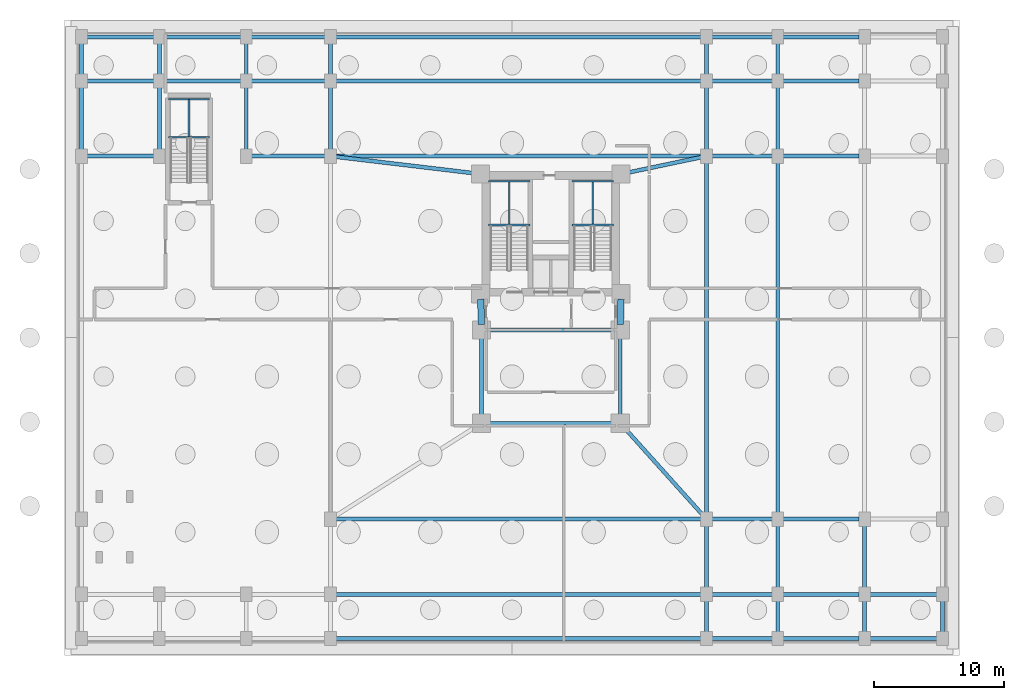
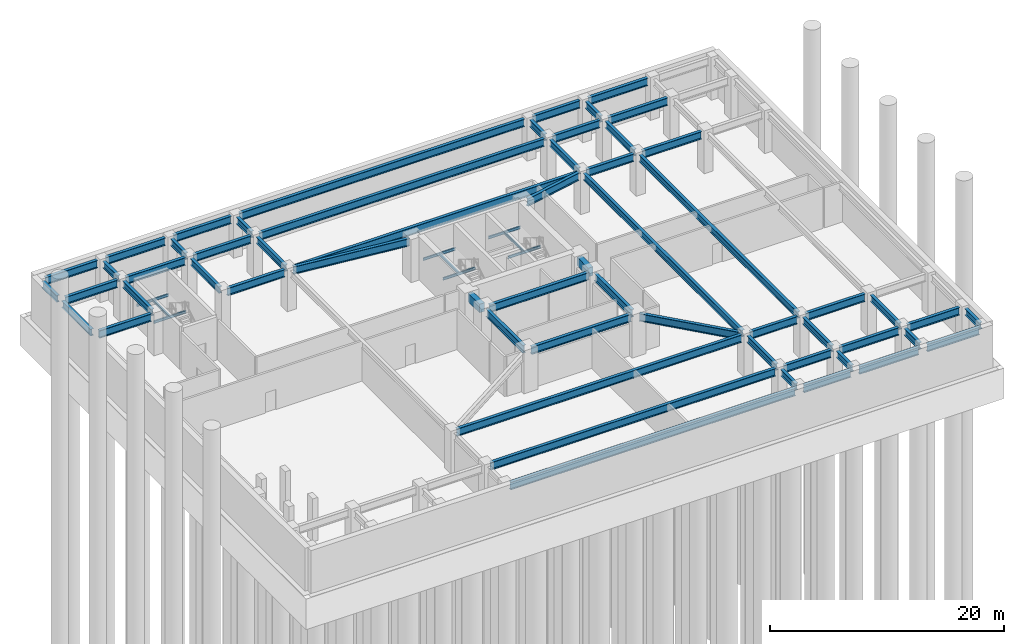
# One storey, part 2 of 7: 67 beams.
"""IFC4 building model written with IfcOpenShell, lengths in metres."""

import ifcopenshell
import ifcopenshell.guid

model = None  # the IFC model being written
_history = None  # IfcOwnerHistory: only IFC2X3 demands one
_inside = {}  # id of a spatial element -> (the spatial element, [elements in it])
_under = {}  # id of a project, library or spatial element -> (it, [spatial elements below it])
_declared = {}  # id of a project -> (the project, [libraries it declares])
_typed = {}  # id of a type object -> (the type object, [elements of that type])
_made_of = {}  # id of a material, layer set ... -> (it, [elements and type objects made of it])


def new_model(schema):
    """Start an empty IFC model of exactly this schema.

    Asked for "IFC4X3", IfcOpenShell would pick the latest addendum, in which some entities
    have other attributes; the version numbers below select the first issue.
    IFC2X3 requires an IfcOwnerHistory on every rooted entity: one is made here for all.
    """
    global model, _history
    if schema == "IFC4X3":
        model = ifcopenshell.file(schema_version=(4, 3, 0, 0))
    else:
        model = ifcopenshell.file(schema=schema)
    _inside.clear()
    _under.clear()
    _declared.clear()
    _typed.clear()
    _made_of.clear()
    _history = None
    if model.schema == "IFC2X3":
        org = make("IfcOrganization", Name="unknown")
        user = make(
            "IfcPersonAndOrganization",
            ThePerson=make("IfcPerson", FamilyName="unknown"),
            TheOrganization=org,
        )
        app = make(
            "IfcApplication",
            ApplicationDeveloper=org,
            Version="unknown",
            ApplicationFullName="unknown",
            ApplicationIdentifier="unknown",
        )
        _history = make(
            "IfcOwnerHistory",
            OwningUser=user,
            OwningApplication=app,
            ChangeAction="ADDED",
            CreationDate=0,
        )
    return model


def make(cls, **values):
    """One entity of the class cls with the attributes given. An attribute that is None is left unset."""
    return model.create_entity(
        cls, **{name: value for name, value in values.items() if value is not None}
    )


def rooted(cls, **values):
    """An entity with a GlobalId (a new one), such as an element, a storey or a relation."""
    return make(cls, GlobalId=ifcopenshell.guid.new(), OwnerHistory=_history, **values)


def si_unit(unit_type, name, prefix=None):
    """IfcSIUnit, for example si_unit("LENGTHUNIT", "METRE", prefix="MILLI")."""
    return make("IfcSIUnit", UnitType=unit_type, Prefix=prefix, Name=name)


def assignment(units):
    """IfcUnitAssignment: the units of a project."""
    return None if units is None else make("IfcUnitAssignment", Units=units)


def point(xyz):
    """IfcCartesianPoint."""
    return None if xyz is None else make("IfcCartesianPoint", Coordinates=xyz)


def direction(xyz):
    """IfcDirection."""
    return None if xyz is None else make("IfcDirection", DirectionRatios=xyz)


def frame(location, z_axis=None, x_axis=None):
    """IfcAxis2Placement3D, a coordinate frame: its origin and axes. An axis left out is left unset."""
    return make(
        "IfcAxis2Placement3D",
        Location=point(location),
        Axis=direction(z_axis),
        RefDirection=direction(x_axis),
    )


def frame_2d(location, x_axis=None):
    """IfcAxis2Placement2D, a coordinate frame in the plane: its origin and x axis."""
    return make(
        "IfcAxis2Placement2D", Location=point(location), RefDirection=direction(x_axis)
    )


def origin():
    """The frame at (0, 0, 0) with its axes left unset."""
    return frame((0.0, 0.0, 0.0))


def origin_2d():
    """The frame at (0, 0) in the plane with its x axis left unset."""
    return frame_2d((0.0, 0.0))


def place(relative_to, where):
    """IfcLocalPlacement: puts the frame where relative to a parent placement (None: the world)."""
    return make(
        "IfcLocalPlacement", PlacementRelTo=relative_to, RelativePlacement=where
    )


def context(
    kind, dimensions, precision=None, world=None, true_north=None, identifier=None
):
    """IfcGeometricRepresentationContext, for example the 3D "Model" context."""
    return make(
        "IfcGeometricRepresentationContext",
        ContextIdentifier=identifier,
        ContextType=kind,
        CoordinateSpaceDimension=dimensions,
        Precision=precision,
        WorldCoordinateSystem=world,
        TrueNorth=true_north,
    )


def subcontext(parent, identifier, kind, view, scale=None):
    """IfcGeometricRepresentationSubContext, for example "Body" below "Model"."""
    return make(
        "IfcGeometricRepresentationSubContext",
        ContextIdentifier=identifier,
        ContextType=kind,
        ParentContext=parent,
        TargetScale=scale,
        TargetView=view,
    )


def project(units=None, contexts=None):
    """IfcProject with its units and contexts."""
    return rooted(
        "IfcProject",
        Name="project",
        RepresentationContexts=contexts,
        UnitsInContext=assignment(units),
    )


def spatial(cls, under=None, at=None, **own):
    """A site, building, storey or space (cls), placed at a placement, below another one or the project."""
    s = rooted(cls, ObjectPlacement=at, **own)
    if under is not None:
        _under.setdefault(under.id(), (under, []))[1].append(s)
    return s


def profile(cls, at=None, kind="AREA", **sizes):
    """A parametric profile (cls). Its sizes go by their IFC names, for example OverallWidth=200.0."""
    return make(cls, ProfileType=kind, Position=at, **sizes)


def rectangle(**sizes):
    """IfcRectangleProfileDef."""
    return profile("IfcRectangleProfileDef", **sizes)


def i_section(**sizes):
    """IfcIShapeProfileDef."""
    return profile("IfcIShapeProfileDef", **sizes)


def extrude(swept, where, along, depth):
    """IfcExtrudedAreaSolid: the profile swept, set in the frame where, extruded along a direction by depth."""
    return make(
        "IfcExtrudedAreaSolid",
        SweptArea=swept,
        Position=where,
        ExtrudedDirection=direction(along),
        Depth=depth,
    )


def shape(context_of_items, identifier, shape_type, items):
    """IfcShapeRepresentation: the items that make up one representation, for example the "Body"."""
    return make(
        "IfcShapeRepresentation",
        ContextOfItems=context_of_items,
        RepresentationIdentifier=identifier,
        RepresentationType=shape_type,
        Items=items,
    )


def material(Name=None, Category=None):
    """IfcMaterial."""
    return make("IfcMaterial", Name=Name, Category=Category)


def material_profile(
    of_material, cross_section, Name=None, Category=None, Priority=None
):
    """IfcMaterialProfile: a cross section and its material."""
    return make(
        "IfcMaterialProfile",
        Name=Name,
        Material=of_material,
        Profile=cross_section,
        Priority=Priority,
        Category=Category,
    )


def profile_set(profiles, Name=None, composite=None):
    """IfcMaterialProfileSet."""
    return make(
        "IfcMaterialProfileSet",
        Name=Name,
        MaterialProfiles=profiles,
        CompositeProfile=composite,
    )


def made_of(thing, what):
    """Note that an element or type object is made of a material, layer set ...; save() writes the relation."""
    if what is not None:
        _made_of.setdefault(what.id(), (what, []))[1].append(thing)
    return thing


def type_object(cls, material=None, **own):
    """A type object (cls), such as IfcWallType, which elements share."""
    return made_of(rooted(cls, **own), material)


def element(
    cls,
    number,
    at=None,
    inside=None,
    cuts=None,
    type_object=None,
    material=None,
    context=None,
    identifier="Body",
    shape_type=None,
    held_by="IfcProductDefinitionShape",
    body=None,
    shapes=None,
    **own,
):
    """One element of the class cls, such as IfcWall. Its Tag is "e" and its number.

    at: its placement. inside: the storey or other place that contains it. cuts: it is an
    opening in that element (IfcRelVoidsElement). A single representation is given by context,
    identifier, shape_type and body (its items); several are given by shapes. held_by: the class
    of the entity that holds the representations. save() writes the other relations.
    """
    e = rooted(cls, Tag="e%d" % number, ObjectPlacement=at, **own)
    if body is not None:
        shapes = [shape(context, identifier, shape_type, body)]
    if shapes is not None:
        e.Representation = make(held_by, Representations=shapes)
    if inside is not None:
        _inside.setdefault(inside.id(), (inside, []))[1].append(e)
    if cuts is not None:
        rooted(
            "IfcRelVoidsElement", RelatingBuildingElement=cuts, RelatedOpeningElement=e
        )
    if type_object is not None:
        _typed.setdefault(type_object.id(), (type_object, []))[1].append(e)
    return made_of(e, material)


def aggregate(whole, parts):
    """IfcRelAggregates: a whole, such as a stair, and the parts it consists of."""
    return rooted("IfcRelAggregates", RelatingObject=whole, RelatedObjects=parts)


def save(model, path):
    """Write the relations noted so far, then the file.

    IfcRelAggregates (storeys below a building ...), IfcRelContainedInSpatialStructure (elements
    in a storey), IfcRelDefinesByType, IfcRelAssociatesMaterial and IfcRelDeclares: one each for
    every whole, place, type object, material and project.
    """
    for whole, parts in _under.values():
        aggregate(whole, parts)
    for where, things in _inside.values():
        rooted(
            "IfcRelContainedInSpatialStructure",
            RelatedElements=things,
            RelatingStructure=where,
        )
    for kind, things in _typed.values():
        rooted("IfcRelDefinesByType", RelatedObjects=things, RelatingType=kind)
    for what, things in _made_of.values():
        rooted("IfcRelAssociatesMaterial", RelatedObjects=things, RelatingMaterial=what)
    for by, libraries in _declared.values():
        rooted("IfcRelDeclares", RelatingContext=by, RelatedDefinitions=libraries)
    model.write(path)


model = new_model("IFC4")

# Units and contexts
model_context = context("Model", 3, precision=1e-05, world=origin(), true_north=direction((0.0, 1.0)))
body_context = subcontext(model_context, "Body", "Model", "MODEL_VIEW")
ifc_project = project(units=[si_unit("LENGTHUNIT", "METRE"), si_unit("AREAUNIT", "SQUARE_METRE"), si_unit("VOLUMEUNIT", "CUBIC_METRE"), si_unit("PLANEANGLEUNIT", "RADIAN"), si_unit("MASSUNIT", "GRAM", prefix="KILO")], contexts=[model_context])

# Site, building, storey
site_placement = place(None, origin())
site = spatial("IfcSite", under=ifc_project, at=site_placement, CompositionType="ELEMENT")
building_placement = place(site_placement, origin())
building = spatial("IfcBuilding", under=site, at=building_placement, Name="Varnakorn Sky Granary", CompositionType="ELEMENT")
storey_placement = place(building_placement, frame((0.0, 0.0, -13.5)))
storey = spatial("IfcBuildingStorey", under=building, at=storey_placement, Name="B03", CompositionType="ELEMENT", Elevation=-13.5)

# Beams
ifc_material_1 = material(Name="Concrete C60/75", Category="concrete")
ifc_material_profile_1 = material_profile(ifc_material_1, rectangle(XDim=0.5, YDim=0.89990234375, at=origin_2d()), Name="RC 500x900")
ifc_profile_set_1 = profile_set([ifc_material_profile_1], Name="Concrete C60/75")
beam_type_1 = type_object("IfcBeamType", Name="BM-LIN-900", PredefinedType="LINTEL", material=ifc_profile_set_1)
for number, where, z_axis, x_axis, name in (
    (1, (-2.409423828125, 2.960205078125, 3.72998046875), (0.025158763514, -0.999683468213, 0.0), (0.999683468213, 0.025158763514, 0.0), "Core Spine Beam 1 B03"),
    (2, (8.409423828125, 2.960205078125, 3.72998046875), (-0.025158763514, -0.999683468213, 0.0), (0.999683468213, -0.025158763514, 0.0), "Core Spine Beam 2 B03"),
):
    element("IfcBeam", number, at=place(storey_placement, frame(where, z_axis=z_axis, x_axis=x_axis)), inside=storey, type_object=beam_type_1, Name=name, PredefinedType="LINTEL", context=body_context, shape_type="SweptSolid", body=[
        extrude(rectangle(XDim=0.5, YDim=0.89990234375, at=origin_2d()), origin(), (0.0, 0.0, 1.0), 1.94091796875),
    ])
ifc_material_2 = material(Name="Steel S355JR", Category="steel")
ifc_material_profile_2 = material_profile(ifc_material_2, i_section(OverallWidth=0.135009765625, OverallDepth=0.27001953125, WebThickness=0.006591796875, FlangeThickness=0.01025390625, at=origin_2d()), Name="IPE 270")
ifc_profile_set_2 = profile_set([ifc_material_profile_2], Name="Steel S355JR")
beam_type_2 = type_object("IfcBeamType", Name="BM-LND-270", PredefinedType="BEAM", material=ifc_profile_set_2)
for number, where, z_axis, x_axis, name in (
    (3, (-1.820068359375, 8.679931640625, 1.9150390625), (1.0, 0.0, 0.0), (0.0, 1.0, 0.0), "Stair ST-1 Landing Trimmer Beam A B03-1"),
    (4, (-1.820068359375, 12.06005859375, 1.9150390625), (1.0, 0.0, 0.0), (0.0, 1.0, 0.0), "Stair ST-1 Landing Trimmer Beam B B03-1"),
):
    element("IfcBeam", number, at=place(storey_placement, frame(where, z_axis=z_axis, x_axis=x_axis)), inside=storey, type_object=beam_type_2, Name=name, PredefinedType="BEAM", context=body_context, shape_type="SweptSolid", body=[
        extrude(i_section(OverallWidth=0.135009765625, OverallDepth=0.27001953125, WebThickness=0.006591796875, FlangeThickness=0.01025390625, at=origin_2d()), origin(), (0.0, 0.0, 1.0), 3.199951171875),
    ])
beam_1_placement = place(storey_placement, frame((-0.219970703125, 8.679931640625, 1.9150390625), z_axis=(0.0, 1.0, 0.0), x_axis=(-1.0, 0.0, 0.0)))
element("IfcBeam", 5, at=beam_1_placement, inside=storey, type_object=beam_type_2, Name="Stair ST-1 Landing Cross Beam C B03-1", PredefinedType="BEAM", context=body_context, shape_type="SweptSolid", body=[
    extrude(i_section(OverallWidth=0.135009765625, OverallDepth=0.27001953125, WebThickness=0.006591796875, FlangeThickness=0.01025390625, at=origin_2d()), origin(), (0.0, 0.0, 1.0), 3.380126953125),
])
for number, where, z_axis, x_axis, name in (
    (6, (4.6201171875, 8.679931640625, 1.9150390625), (1.0, 0.0, 0.0), (0.0, 1.0, 0.0), "Stair ST-2 Landing Trimmer Beam A B03-1"),
    (7, (4.6201171875, 12.06005859375, 1.9150390625), (1.0, 0.0, 0.0), (0.0, 1.0, 0.0), "Stair ST-2 Landing Trimmer Beam B B03-1"),
):
    element("IfcBeam", number, at=place(storey_placement, frame(where, z_axis=z_axis, x_axis=x_axis)), inside=storey, type_object=beam_type_2, Name=name, PredefinedType="BEAM", context=body_context, shape_type="SweptSolid", body=[
        extrude(i_section(OverallWidth=0.135009765625, OverallDepth=0.27001953125, WebThickness=0.006591796875, FlangeThickness=0.01025390625, at=origin_2d()), origin(), (0.0, 0.0, 1.0), 3.199951171875),
    ])
beam_2_placement = place(storey_placement, frame((6.219970703125, 8.679931640625, 1.9150390625), z_axis=(0.0, 1.0, 0.0), x_axis=(-1.0, 0.0, 0.0)))
element("IfcBeam", 8, at=beam_2_placement, inside=storey, type_object=beam_type_2, Name="Stair ST-2 Landing Cross Beam C B03-1", PredefinedType="BEAM", context=body_context, shape_type="SweptSolid", body=[
    extrude(i_section(OverallWidth=0.135009765625, OverallDepth=0.27001953125, WebThickness=0.006591796875, FlangeThickness=0.01025390625, at=origin_2d()), origin(), (0.0, 0.0, 1.0), 3.380126953125),
])
for number, where, z_axis, x_axis, name in (
    (9, (-26.5, 15.4599609375, 1.9150390625), (1.0, 0.0, 0.0), (0.0, 1.0, 0.0), "Stair ST-B3 Landing Trimmer Beam A B03-1"),
    (10, (-26.5, 18.3798828125, 1.9150390625), (1.0, 0.0, 0.0), (0.0, 1.0, 0.0), "Stair ST-B3 Landing Trimmer Beam B B03-1"),
):
    element("IfcBeam", number, at=place(storey_placement, frame(where, z_axis=z_axis, x_axis=x_axis)), inside=storey, type_object=beam_type_2, Name=name, PredefinedType="BEAM", context=body_context, shape_type="SweptSolid", body=[
        extrude(i_section(OverallWidth=0.135009765625, OverallDepth=0.27001953125, WebThickness=0.006591796875, FlangeThickness=0.01025390625, at=origin_2d()), origin(), (0.0, 0.0, 1.0), 3.179931640625),
    ])
beam_3_placement = place(storey_placement, frame((-24.909912109375, 15.4599609375, 1.9150390625), z_axis=(0.0, 1.0, 0.0), x_axis=(-1.0, 0.0, 0.0)))
element("IfcBeam", 11, at=beam_3_placement, inside=storey, type_object=beam_type_2, Name="Stair ST-B3 Landing Cross Beam C B03-1", PredefinedType="BEAM", context=body_context, shape_type="SweptSolid", body=[
    extrude(i_section(OverallWidth=0.135009765625, OverallDepth=0.27001953125, WebThickness=0.006591796875, FlangeThickness=0.01025390625, at=origin_2d()), origin(), (0.0, 0.0, 1.0), 2.919921875),
])
ifc_material_profile_3 = material_profile(ifc_material_2, i_section(OverallWidth=0.300048828125, OverallDepth=0.699951171875, WebThickness=0.01708984375, FlangeThickness=0.031982421875, at=origin_2d()), Name="HE 700 B")
ifc_profile_set_3 = profile_set([ifc_material_profile_3], Name="Steel S355JR")
beam_type_3 = type_object("IfcBeamType", Name="BM-PG-700", PredefinedType="T_BEAM", material=ifc_profile_set_3)
beam_4_placement = place(storey_placement, frame((-33.199951171875, 14.419921875, 3.830078125), z_axis=(0.0, 1.0, 0.0), x_axis=(-1.0, 0.0, 0.0)))
element("IfcBeam", 12, at=beam_4_placement, inside=storey, type_object=beam_type_3, Name="Podium Y-Girder GY42 B03", PredefinedType="T_BEAM", context=body_context, shape_type="SweptSolid", body=[
    extrude(i_section(OverallWidth=0.300048828125, OverallDepth=0.699951171875, WebThickness=0.01708984375, FlangeThickness=0.031982421875, at=origin_2d()), origin(), (0.0, 0.0, 1.0), 4.9599609375),
])
beam_5_placement = place(storey_placement, frame((-33.199951171875, 20.219970703125, 3.830078125), z_axis=(0.0, 1.0, 0.0), x_axis=(-1.0, 0.0, 0.0)))
element("IfcBeam", 13, at=beam_5_placement, inside=storey, type_object=beam_type_3, Name="Podium Y-Girder GY43 B03", PredefinedType="T_BEAM", context=body_context, shape_type="SweptSolid", body=[
    extrude(i_section(OverallWidth=0.300048828125, OverallDepth=0.699951171875, WebThickness=0.01708984375, FlangeThickness=0.031982421875, at=origin_2d()), origin(), (0.0, 0.0, 1.0), 2.56005859375),
])
beam_6_placement = place(storey_placement, frame((-27.199951171875, 14.419921875, 3.830078125), z_axis=(0.0, 1.0, 0.0), x_axis=(-1.0, 0.0, 0.0)))
element("IfcBeam", 14, at=beam_6_placement, inside=storey, type_object=beam_type_3, Name="Podium Y-Girder GY45 B03", PredefinedType="T_BEAM", context=body_context, shape_type="SweptSolid", body=[
    extrude(i_section(OverallWidth=0.300048828125, OverallDepth=0.699951171875, WebThickness=0.01708984375, FlangeThickness=0.031982421875, at=origin_2d()), origin(), (0.0, 0.0, 1.0), 4.9599609375),
])
beam_7_placement = place(storey_placement, frame((-27.199951171875, 20.219970703125, 3.830078125), z_axis=(0.0, 1.0, 0.0), x_axis=(-1.0, 0.0, 0.0)))
element("IfcBeam", 15, at=beam_7_placement, inside=storey, type_object=beam_type_3, Name="Podium Y-Girder GY46 B03", PredefinedType="T_BEAM", context=body_context, shape_type="SweptSolid", body=[
    extrude(i_section(OverallWidth=0.300048828125, OverallDepth=0.699951171875, WebThickness=0.01708984375, FlangeThickness=0.031982421875, at=origin_2d()), origin(), (0.0, 0.0, 1.0), 2.56005859375),
])
beam_8_placement = place(storey_placement, frame((-20.5, 14.419921875, 3.830078125), z_axis=(0.0, 1.0, 0.0), x_axis=(-1.0, 0.0, 0.0)))
element("IfcBeam", 16, at=beam_8_placement, inside=storey, type_object=beam_type_3, Name="Podium Y-Girder GY48 B03", PredefinedType="T_BEAM", context=body_context, shape_type="SweptSolid", body=[
    extrude(i_section(OverallWidth=0.300048828125, OverallDepth=0.699951171875, WebThickness=0.01708984375, FlangeThickness=0.031982421875, at=origin_2d()), origin(), (0.0, 0.0, 1.0), 4.9599609375),
])
beam_9_placement = place(storey_placement, frame((-20.5, 20.219970703125, 3.830078125), z_axis=(0.0, 1.0, 0.0), x_axis=(-1.0, 0.0, 0.0)))
element("IfcBeam", 17, at=beam_9_placement, inside=storey, type_object=beam_type_3, Name="Podium Y-Girder GY49 B03", PredefinedType="T_BEAM", context=body_context, shape_type="SweptSolid", body=[
    extrude(i_section(OverallWidth=0.300048828125, OverallDepth=0.699951171875, WebThickness=0.01708984375, FlangeThickness=0.031982421875, at=origin_2d()), origin(), (0.0, 0.0, 1.0), 2.56005859375),
])
beam_10_placement = place(storey_placement, frame((-14.0, 14.419921875, 3.830078125), z_axis=(0.0, 1.0, 0.0), x_axis=(-1.0, 0.0, 0.0)))
element("IfcBeam", 18, at=beam_10_placement, inside=storey, type_object=beam_type_3, Name="Podium Y-Girder GY53 B03", PredefinedType="T_BEAM", context=body_context, shape_type="SweptSolid", body=[
    extrude(i_section(OverallWidth=0.300048828125, OverallDepth=0.699951171875, WebThickness=0.01708984375, FlangeThickness=0.031982421875, at=origin_2d()), origin(), (0.0, 0.0, 1.0), 4.9599609375),
])
for number, where, z_axis, x_axis, name in (
    (19, (-14.0, 20.219970703125, 3.830078125), (0.0, 1.0, 0.0), (-1.0, 0.0, 0.0), "Podium Y-Girder GY54 B03"),
    (20, (15.0, -22.780029296875, 3.830078125), (0.0, 1.0, 0.0), (-1.0, 0.0, 0.0), "Podium Y-Girder GY55 B03"),
):
    element("IfcBeam", number, at=place(storey_placement, frame(where, z_axis=z_axis, x_axis=x_axis)), inside=storey, type_object=beam_type_3, Name=name, PredefinedType="T_BEAM", context=body_context, shape_type="SweptSolid", body=[
        extrude(i_section(OverallWidth=0.300048828125, OverallDepth=0.699951171875, WebThickness=0.01708984375, FlangeThickness=0.031982421875, at=origin_2d()), origin(), (0.0, 0.0, 1.0), 2.56005859375),
    ])
beam_11_placement = place(storey_placement, frame((15.0, -19.3798828125, 3.830078125), z_axis=(0.0, 1.0, 0.0), x_axis=(-1.0, 0.0, 0.0)))
element("IfcBeam", 21, at=beam_11_placement, inside=storey, type_object=beam_type_3, Name="Podium Y-Girder GY56 B03", PredefinedType="T_BEAM", context=body_context, shape_type="SweptSolid", body=[
    extrude(i_section(OverallWidth=0.300048828125, OverallDepth=0.699951171875, WebThickness=0.01708984375, FlangeThickness=0.031982421875, at=origin_2d()), origin(), (0.0, 0.0, 1.0), 4.9599609375),
])
beam_12_placement = place(storey_placement, frame((15.0, -13.580078125, 3.830078125), z_axis=(0.0, 1.0, 0.0), x_axis=(-1.0, 0.0, 0.0)))
element("IfcBeam", 22, at=beam_12_placement, inside=storey, type_object=beam_type_3, Name="Podium Y-Girder GY57 B03", PredefinedType="T_BEAM", context=body_context, shape_type="SweptSolid", body=[
    extrude(i_section(OverallWidth=0.300048828125, OverallDepth=0.699951171875, WebThickness=0.01708984375, FlangeThickness=0.031982421875, at=origin_2d()), origin(), (0.0, 0.0, 1.0), 27.16015625),
])
beam_13_placement = place(storey_placement, frame((15.0, 14.419921875, 3.830078125), z_axis=(0.0, 1.0, 0.0), x_axis=(-1.0, 0.0, 0.0)))
element("IfcBeam", 23, at=beam_13_placement, inside=storey, type_object=beam_type_3, Name="Podium Y-Girder GY58 B03", PredefinedType="T_BEAM", context=body_context, shape_type="SweptSolid", body=[
    extrude(i_section(OverallWidth=0.300048828125, OverallDepth=0.699951171875, WebThickness=0.01708984375, FlangeThickness=0.031982421875, at=origin_2d()), origin(), (0.0, 0.0, 1.0), 4.9599609375),
])
for number, where, z_axis, x_axis, name in (
    (24, (15.0, 20.219970703125, 3.830078125), (0.0, 1.0, 0.0), (-1.0, 0.0, 0.0), "Podium Y-Girder GY59 B03"),
    (25, (20.5, -22.780029296875, 3.830078125), (0.0, 1.0, 0.0), (-1.0, 0.0, 0.0), "Podium Y-Girder GY60 B03"),
):
    element("IfcBeam", number, at=place(storey_placement, frame(where, z_axis=z_axis, x_axis=x_axis)), inside=storey, type_object=beam_type_3, Name=name, PredefinedType="T_BEAM", context=body_context, shape_type="SweptSolid", body=[
        extrude(i_section(OverallWidth=0.300048828125, OverallDepth=0.699951171875, WebThickness=0.01708984375, FlangeThickness=0.031982421875, at=origin_2d()), origin(), (0.0, 0.0, 1.0), 2.56005859375),
    ])
beam_14_placement = place(storey_placement, frame((20.5, -19.3798828125, 3.830078125), z_axis=(0.0, 1.0, 0.0), x_axis=(-1.0, 0.0, 0.0)))
element("IfcBeam", 26, at=beam_14_placement, inside=storey, type_object=beam_type_3, Name="Podium Y-Girder GY61 B03", PredefinedType="T_BEAM", context=body_context, shape_type="SweptSolid", body=[
    extrude(i_section(OverallWidth=0.300048828125, OverallDepth=0.699951171875, WebThickness=0.01708984375, FlangeThickness=0.031982421875, at=origin_2d()), origin(), (0.0, 0.0, 1.0), 4.9599609375),
])
beam_15_placement = place(storey_placement, frame((20.5, -13.580078125, 3.830078125), z_axis=(0.0, 1.0, 0.0), x_axis=(-1.0, 0.0, 0.0)))
element("IfcBeam", 27, at=beam_15_placement, inside=storey, type_object=beam_type_3, Name="Podium Y-Girder GY62 B03", PredefinedType="T_BEAM", context=body_context, shape_type="SweptSolid", body=[
    extrude(i_section(OverallWidth=0.300048828125, OverallDepth=0.699951171875, WebThickness=0.01708984375, FlangeThickness=0.031982421875, at=origin_2d()), origin(), (0.0, 0.0, 1.0), 27.16015625),
])
beam_16_placement = place(storey_placement, frame((20.5, 14.419921875, 3.830078125), z_axis=(0.0, 1.0, 0.0), x_axis=(-1.0, 0.0, 0.0)))
element("IfcBeam", 28, at=beam_16_placement, inside=storey, type_object=beam_type_3, Name="Podium Y-Girder GY63 B03", PredefinedType="T_BEAM", context=body_context, shape_type="SweptSolid", body=[
    extrude(i_section(OverallWidth=0.300048828125, OverallDepth=0.699951171875, WebThickness=0.01708984375, FlangeThickness=0.031982421875, at=origin_2d()), origin(), (0.0, 0.0, 1.0), 4.9599609375),
])
for number, where, z_axis, x_axis, name in (
    (29, (20.5, 20.219970703125, 3.830078125), (0.0, 1.0, 0.0), (-1.0, 0.0, 0.0), "Podium Y-Girder GY64 B03"),
    (30, (27.199951171875, -22.780029296875, 3.830078125), (0.0, 1.0, 0.0), (-1.0, 0.0, 0.0), "Podium Y-Girder GY65 B03"),
):
    element("IfcBeam", number, at=place(storey_placement, frame(where, z_axis=z_axis, x_axis=x_axis)), inside=storey, type_object=beam_type_3, Name=name, PredefinedType="T_BEAM", context=body_context, shape_type="SweptSolid", body=[
        extrude(i_section(OverallWidth=0.300048828125, OverallDepth=0.699951171875, WebThickness=0.01708984375, FlangeThickness=0.031982421875, at=origin_2d()), origin(), (0.0, 0.0, 1.0), 2.56005859375),
    ])
beam_17_placement = place(storey_placement, frame((27.199951171875, -19.3798828125, 3.830078125), z_axis=(0.0, 1.0, 0.0), x_axis=(-1.0, 0.0, 0.0)))
element("IfcBeam", 31, at=beam_17_placement, inside=storey, type_object=beam_type_3, Name="Podium Y-Girder GY66 B03", PredefinedType="T_BEAM", context=body_context, shape_type="SweptSolid", body=[
    extrude(i_section(OverallWidth=0.300048828125, OverallDepth=0.699951171875, WebThickness=0.01708984375, FlangeThickness=0.031982421875, at=origin_2d()), origin(), (0.0, 0.0, 1.0), 4.9599609375),
])
beam_18_placement = place(storey_placement, frame((33.199951171875, -22.780029296875, 3.830078125), z_axis=(0.0, 1.0, 0.0), x_axis=(-1.0, 0.0, 0.0)))
element("IfcBeam", 32, at=beam_18_placement, inside=storey, type_object=beam_type_3, Name="Podium Y-Girder GY70 B03", PredefinedType="T_BEAM", context=body_context, shape_type="SweptSolid", body=[
    extrude(i_section(OverallWidth=0.300048828125, OverallDepth=0.699951171875, WebThickness=0.01708984375, FlangeThickness=0.031982421875, at=origin_2d()), origin(), (0.0, 0.0, 1.0), 2.56005859375),
])
ifc_material_profile_4 = material_profile(ifc_material_2, i_section(OverallWidth=0.300048828125, OverallDepth=0.800048828125, WebThickness=0.017578125, FlangeThickness=0.032958984375, at=origin_2d()), Name="HE 800 B")
ifc_profile_set_4 = profile_set([ifc_material_profile_4], Name="Steel S355JR")
beam_type_4 = type_object("IfcBeamType", Name="BM-PG-800", PredefinedType="BEAM", material=ifc_profile_set_4)
beam_19_placement = place(storey_placement, frame((-13.580078125, -23.199951171875, 3.780029296875), z_axis=(1.0, 0.0, 0.0), x_axis=(0.0, 1.0, 0.0)))
element("IfcBeam", 33, at=beam_19_placement, inside=storey, type_object=beam_type_4, Name="Podium X-Girder GX04 B03", PredefinedType="BEAM", context=body_context, shape_type="SweptSolid", body=[
    extrude(i_section(OverallWidth=0.300048828125, OverallDepth=0.800048828125, WebThickness=0.017578125, FlangeThickness=0.032958984375, at=origin_2d()), origin(), (0.0, 0.0, 1.0), 28.16015625),
])
beam_20_placement = place(storey_placement, frame((15.419921875, -23.199951171875, 3.780029296875), z_axis=(1.0, 0.0, 0.0), x_axis=(0.0, 1.0, 0.0)))
element("IfcBeam", 34, at=beam_20_placement, inside=storey, type_object=beam_type_4, Name="Podium X-Girder GX05 B03", PredefinedType="BEAM", context=body_context, shape_type="SweptSolid", body=[
    extrude(i_section(OverallWidth=0.300048828125, OverallDepth=0.800048828125, WebThickness=0.017578125, FlangeThickness=0.032958984375, at=origin_2d()), origin(), (0.0, 0.0, 1.0), 4.66015625),
])
beam_21_placement = place(storey_placement, frame((20.919921875, -23.199951171875, 3.780029296875), z_axis=(1.0, 0.0, 0.0), x_axis=(0.0, 1.0, 0.0)))
element("IfcBeam", 35, at=beam_21_placement, inside=storey, type_object=beam_type_4, Name="Podium X-Girder GX06 B03", PredefinedType="BEAM", context=body_context, shape_type="SweptSolid", body=[
    extrude(i_section(OverallWidth=0.300048828125, OverallDepth=0.800048828125, WebThickness=0.017578125, FlangeThickness=0.032958984375, at=origin_2d()), origin(), (0.0, 0.0, 1.0), 5.860107421875),
])
beam_22_placement = place(storey_placement, frame((27.6201171875, -23.199951171875, 3.780029296875), z_axis=(1.0, 0.0, 0.0), x_axis=(0.0, 1.0, 0.0)))
element("IfcBeam", 36, at=beam_22_placement, inside=storey, type_object=beam_type_4, Name="Podium X-Girder GX07 B03", PredefinedType="BEAM", context=body_context, shape_type="SweptSolid", body=[
    extrude(i_section(OverallWidth=0.300048828125, OverallDepth=0.800048828125, WebThickness=0.017578125, FlangeThickness=0.032958984375, at=origin_2d()), origin(), (0.0, 0.0, 1.0), 5.159912109375),
])
beam_23_placement = place(storey_placement, frame((-13.580078125, -19.800048828125, 3.780029296875), z_axis=(1.0, 0.0, 0.0), x_axis=(0.0, 1.0, 0.0)))
element("IfcBeam", 37, at=beam_23_placement, inside=storey, type_object=beam_type_4, Name="Podium X-Girder GX11 B03", PredefinedType="BEAM", context=body_context, shape_type="SweptSolid", body=[
    extrude(i_section(OverallWidth=0.300048828125, OverallDepth=0.800048828125, WebThickness=0.017578125, FlangeThickness=0.032958984375, at=origin_2d()), origin(), (0.0, 0.0, 1.0), 28.16015625),
])
beam_24_placement = place(storey_placement, frame((15.419921875, -19.800048828125, 3.780029296875), z_axis=(1.0, 0.0, 0.0), x_axis=(0.0, 1.0, 0.0)))
element("IfcBeam", 38, at=beam_24_placement, inside=storey, type_object=beam_type_4, Name="Podium X-Girder GX12 B03", PredefinedType="BEAM", context=body_context, shape_type="SweptSolid", body=[
    extrude(i_section(OverallWidth=0.300048828125, OverallDepth=0.800048828125, WebThickness=0.017578125, FlangeThickness=0.032958984375, at=origin_2d()), origin(), (0.0, 0.0, 1.0), 4.66015625),
])
beam_25_placement = place(storey_placement, frame((20.919921875, -19.800048828125, 3.780029296875), z_axis=(1.0, 0.0, 0.0), x_axis=(0.0, 1.0, 0.0)))
element("IfcBeam", 39, at=beam_25_placement, inside=storey, type_object=beam_type_4, Name="Podium X-Girder GX13 B03", PredefinedType="BEAM", context=body_context, shape_type="SweptSolid", body=[
    extrude(i_section(OverallWidth=0.300048828125, OverallDepth=0.800048828125, WebThickness=0.017578125, FlangeThickness=0.032958984375, at=origin_2d()), origin(), (0.0, 0.0, 1.0), 5.860107421875),
])
beam_26_placement = place(storey_placement, frame((27.6201171875, -19.800048828125, 3.780029296875), z_axis=(1.0, 0.0, 0.0), x_axis=(0.0, 1.0, 0.0)))
element("IfcBeam", 40, at=beam_26_placement, inside=storey, type_object=beam_type_4, Name="Podium X-Girder GX14 B03", PredefinedType="BEAM", context=body_context, shape_type="SweptSolid", body=[
    extrude(i_section(OverallWidth=0.300048828125, OverallDepth=0.800048828125, WebThickness=0.017578125, FlangeThickness=0.032958984375, at=origin_2d()), origin(), (0.0, 0.0, 1.0), 5.159912109375),
])
beam_27_placement = place(storey_placement, frame((-13.580078125, -14.0, 3.780029296875), z_axis=(1.0, 0.0, 0.0), x_axis=(0.0, 1.0, 0.0)))
element("IfcBeam", 41, at=beam_27_placement, inside=storey, type_object=beam_type_4, Name="Podium X-Girder GX15 B03", PredefinedType="BEAM", context=body_context, shape_type="SweptSolid", body=[
    extrude(i_section(OverallWidth=0.300048828125, OverallDepth=0.800048828125, WebThickness=0.017578125, FlangeThickness=0.032958984375, at=origin_2d()), origin(), (0.0, 0.0, 1.0), 28.16015625),
])
beam_28_placement = place(storey_placement, frame((15.419921875, -14.0, 3.780029296875), z_axis=(1.0, 0.0, 0.0), x_axis=(0.0, 1.0, 0.0)))
element("IfcBeam", 42, at=beam_28_placement, inside=storey, type_object=beam_type_4, Name="Podium X-Girder GX16 B03", PredefinedType="BEAM", context=body_context, shape_type="SweptSolid", body=[
    extrude(i_section(OverallWidth=0.300048828125, OverallDepth=0.800048828125, WebThickness=0.017578125, FlangeThickness=0.032958984375, at=origin_2d()), origin(), (0.0, 0.0, 1.0), 4.66015625),
])
beam_29_placement = place(storey_placement, frame((20.919921875, -14.0, 3.780029296875), z_axis=(1.0, 0.0, 0.0), x_axis=(0.0, 1.0, 0.0)))
element("IfcBeam", 43, at=beam_29_placement, inside=storey, type_object=beam_type_4, Name="Podium X-Girder GX17 B03", PredefinedType="BEAM", context=body_context, shape_type="SweptSolid", body=[
    extrude(i_section(OverallWidth=0.300048828125, OverallDepth=0.800048828125, WebThickness=0.017578125, FlangeThickness=0.032958984375, at=origin_2d()), origin(), (0.0, 0.0, 1.0), 5.860107421875),
])
beam_30_placement = place(storey_placement, frame((-32.780029296875, 14.0, 3.780029296875), z_axis=(1.0, 0.0, 0.0), x_axis=(0.0, 1.0, 0.0)))
element("IfcBeam", 44, at=beam_30_placement, inside=storey, type_object=beam_type_4, Name="Podium X-Girder GX19 B03", PredefinedType="BEAM", context=body_context, shape_type="SweptSolid", body=[
    extrude(i_section(OverallWidth=0.300048828125, OverallDepth=0.800048828125, WebThickness=0.017578125, FlangeThickness=0.032958984375, at=origin_2d()), origin(), (0.0, 0.0, 1.0), 5.159912109375),
])
beam_31_placement = place(storey_placement, frame((-20.080078125, 14.0, 3.780029296875), z_axis=(1.0, 0.0, 0.0), x_axis=(0.0, 1.0, 0.0)))
element("IfcBeam", 45, at=beam_31_placement, inside=storey, type_object=beam_type_4, Name="Podium X-Girder GX20 B03", PredefinedType="BEAM", context=body_context, shape_type="SweptSolid", body=[
    extrude(i_section(OverallWidth=0.300048828125, OverallDepth=0.800048828125, WebThickness=0.017578125, FlangeThickness=0.032958984375, at=origin_2d()), origin(), (0.0, 0.0, 1.0), 5.66015625),
])
beam_32_placement = place(storey_placement, frame((-13.580078125, 14.0, 3.780029296875), z_axis=(1.0, 0.0, 0.0), x_axis=(0.0, 1.0, 0.0)))
element("IfcBeam", 46, at=beam_32_placement, inside=storey, type_object=beam_type_4, Name="Podium X-Girder GX21 B03", PredefinedType="BEAM", context=body_context, shape_type="SweptSolid", body=[
    extrude(i_section(OverallWidth=0.300048828125, OverallDepth=0.800048828125, WebThickness=0.017578125, FlangeThickness=0.032958984375, at=origin_2d()), origin(), (0.0, 0.0, 1.0), 28.16015625),
])
beam_33_placement = place(storey_placement, frame((15.419921875, 14.0, 3.780029296875), z_axis=(1.0, 0.0, 0.0), x_axis=(0.0, 1.0, 0.0)))
element("IfcBeam", 47, at=beam_33_placement, inside=storey, type_object=beam_type_4, Name="Podium X-Girder GX22 B03", PredefinedType="BEAM", context=body_context, shape_type="SweptSolid", body=[
    extrude(i_section(OverallWidth=0.300048828125, OverallDepth=0.800048828125, WebThickness=0.017578125, FlangeThickness=0.032958984375, at=origin_2d()), origin(), (0.0, 0.0, 1.0), 4.66015625),
])
beam_34_placement = place(storey_placement, frame((20.919921875, 14.0, 3.780029296875), z_axis=(1.0, 0.0, 0.0), x_axis=(0.0, 1.0, 0.0)))
element("IfcBeam", 48, at=beam_34_placement, inside=storey, type_object=beam_type_4, Name="Podium X-Girder GX23 B03", PredefinedType="BEAM", context=body_context, shape_type="SweptSolid", body=[
    extrude(i_section(OverallWidth=0.300048828125, OverallDepth=0.800048828125, WebThickness=0.017578125, FlangeThickness=0.032958984375, at=origin_2d()), origin(), (0.0, 0.0, 1.0), 5.860107421875),
])
beam_35_placement = place(storey_placement, frame((-32.780029296875, 19.800048828125, 3.780029296875), z_axis=(1.0, 0.0, 0.0), x_axis=(0.0, 1.0, 0.0)))
element("IfcBeam", 49, at=beam_35_placement, inside=storey, type_object=beam_type_4, Name="Podium X-Girder GX25 B03", PredefinedType="BEAM", context=body_context, shape_type="SweptSolid", body=[
    extrude(i_section(OverallWidth=0.300048828125, OverallDepth=0.800048828125, WebThickness=0.017578125, FlangeThickness=0.032958984375, at=origin_2d()), origin(), (0.0, 0.0, 1.0), 5.159912109375),
])
beam_36_placement = place(storey_placement, frame((-26.780029296875, 19.800048828125, 3.780029296875), z_axis=(1.0, 0.0, 0.0), x_axis=(0.0, 1.0, 0.0)))
element("IfcBeam", 50, at=beam_36_placement, inside=storey, type_object=beam_type_4, Name="Podium X-Girder GX26 B03", PredefinedType="BEAM", context=body_context, shape_type="SweptSolid", body=[
    extrude(i_section(OverallWidth=0.300048828125, OverallDepth=0.800048828125, WebThickness=0.017578125, FlangeThickness=0.032958984375, at=origin_2d()), origin(), (0.0, 0.0, 1.0), 5.860107421875),
])
beam_37_placement = place(storey_placement, frame((-20.080078125, 19.800048828125, 3.780029296875), z_axis=(1.0, 0.0, 0.0), x_axis=(0.0, 1.0, 0.0)))
element("IfcBeam", 51, at=beam_37_placement, inside=storey, type_object=beam_type_4, Name="Podium X-Girder GX27 B03", PredefinedType="BEAM", context=body_context, shape_type="SweptSolid", body=[
    extrude(i_section(OverallWidth=0.300048828125, OverallDepth=0.800048828125, WebThickness=0.017578125, FlangeThickness=0.032958984375, at=origin_2d()), origin(), (0.0, 0.0, 1.0), 5.66015625),
])
beam_38_placement = place(storey_placement, frame((-13.580078125, 19.800048828125, 3.780029296875), z_axis=(1.0, 0.0, 0.0), x_axis=(0.0, 1.0, 0.0)))
element("IfcBeam", 52, at=beam_38_placement, inside=storey, type_object=beam_type_4, Name="Podium X-Girder GX28 B03", PredefinedType="BEAM", context=body_context, shape_type="SweptSolid", body=[
    extrude(i_section(OverallWidth=0.300048828125, OverallDepth=0.800048828125, WebThickness=0.017578125, FlangeThickness=0.032958984375, at=origin_2d()), origin(), (0.0, 0.0, 1.0), 28.16015625),
])
beam_39_placement = place(storey_placement, frame((15.419921875, 19.800048828125, 3.780029296875), z_axis=(1.0, 0.0, 0.0), x_axis=(0.0, 1.0, 0.0)))
element("IfcBeam", 53, at=beam_39_placement, inside=storey, type_object=beam_type_4, Name="Podium X-Girder GX29 B03", PredefinedType="BEAM", context=body_context, shape_type="SweptSolid", body=[
    extrude(i_section(OverallWidth=0.300048828125, OverallDepth=0.800048828125, WebThickness=0.017578125, FlangeThickness=0.032958984375, at=origin_2d()), origin(), (0.0, 0.0, 1.0), 4.66015625),
])
beam_40_placement = place(storey_placement, frame((20.919921875, 19.800048828125, 3.780029296875), z_axis=(1.0, 0.0, 0.0), x_axis=(0.0, 1.0, 0.0)))
element("IfcBeam", 54, at=beam_40_placement, inside=storey, type_object=beam_type_4, Name="Podium X-Girder GX30 B03", PredefinedType="BEAM", context=body_context, shape_type="SweptSolid", body=[
    extrude(i_section(OverallWidth=0.300048828125, OverallDepth=0.800048828125, WebThickness=0.017578125, FlangeThickness=0.032958984375, at=origin_2d()), origin(), (0.0, 0.0, 1.0), 5.860107421875),
])
beam_41_placement = place(storey_placement, frame((-32.780029296875, 23.199951171875, 3.780029296875), z_axis=(1.0, 0.0, 0.0), x_axis=(0.0, 1.0, 0.0)))
element("IfcBeam", 55, at=beam_41_placement, inside=storey, type_object=beam_type_4, Name="Podium X-Girder GX32 B03", PredefinedType="BEAM", context=body_context, shape_type="SweptSolid", body=[
    extrude(i_section(OverallWidth=0.300048828125, OverallDepth=0.800048828125, WebThickness=0.017578125, FlangeThickness=0.032958984375, at=origin_2d()), origin(), (0.0, 0.0, 1.0), 5.159912109375),
])
beam_42_placement = place(storey_placement, frame((-26.780029296875, 23.199951171875, 3.780029296875), z_axis=(1.0, 0.0, 0.0), x_axis=(0.0, 1.0, 0.0)))
element("IfcBeam", 56, at=beam_42_placement, inside=storey, type_object=beam_type_4, Name="Podium X-Girder GX33 B03", PredefinedType="BEAM", context=body_context, shape_type="SweptSolid", body=[
    extrude(i_section(OverallWidth=0.300048828125, OverallDepth=0.800048828125, WebThickness=0.017578125, FlangeThickness=0.032958984375, at=origin_2d()), origin(), (0.0, 0.0, 1.0), 5.860107421875),
])
beam_43_placement = place(storey_placement, frame((-20.080078125, 23.199951171875, 3.780029296875), z_axis=(1.0, 0.0, 0.0), x_axis=(0.0, 1.0, 0.0)))
element("IfcBeam", 57, at=beam_43_placement, inside=storey, type_object=beam_type_4, Name="Podium X-Girder GX34 B03", PredefinedType="BEAM", context=body_context, shape_type="SweptSolid", body=[
    extrude(i_section(OverallWidth=0.300048828125, OverallDepth=0.800048828125, WebThickness=0.017578125, FlangeThickness=0.032958984375, at=origin_2d()), origin(), (0.0, 0.0, 1.0), 5.66015625),
])
beam_44_placement = place(storey_placement, frame((-13.580078125, 23.199951171875, 3.780029296875), z_axis=(1.0, 0.0, 0.0), x_axis=(0.0, 1.0, 0.0)))
element("IfcBeam", 58, at=beam_44_placement, inside=storey, type_object=beam_type_4, Name="Podium X-Girder GX35 B03", PredefinedType="BEAM", context=body_context, shape_type="SweptSolid", body=[
    extrude(i_section(OverallWidth=0.300048828125, OverallDepth=0.800048828125, WebThickness=0.017578125, FlangeThickness=0.032958984375, at=origin_2d()), origin(), (0.0, 0.0, 1.0), 28.16015625),
])
beam_45_placement = place(storey_placement, frame((15.419921875, 23.199951171875, 3.780029296875), z_axis=(1.0, 0.0, 0.0), x_axis=(0.0, 1.0, 0.0)))
element("IfcBeam", 59, at=beam_45_placement, inside=storey, type_object=beam_type_4, Name="Podium X-Girder GX36 B03", PredefinedType="BEAM", context=body_context, shape_type="SweptSolid", body=[
    extrude(i_section(OverallWidth=0.300048828125, OverallDepth=0.800048828125, WebThickness=0.017578125, FlangeThickness=0.032958984375, at=origin_2d()), origin(), (0.0, 0.0, 1.0), 4.66015625),
])
beam_46_placement = place(storey_placement, frame((20.919921875, 23.199951171875, 3.780029296875), z_axis=(1.0, 0.0, 0.0), x_axis=(0.0, 1.0, 0.0)))
element("IfcBeam", 60, at=beam_46_placement, inside=storey, type_object=beam_type_4, Name="Podium X-Girder GX37 B03", PredefinedType="BEAM", context=body_context, shape_type="SweptSolid", body=[
    extrude(i_section(OverallWidth=0.300048828125, OverallDepth=0.800048828125, WebThickness=0.017578125, FlangeThickness=0.032958984375, at=origin_2d()), origin(), (0.0, 0.0, 1.0), 5.860107421875),
])
beam_47_placement = place(storey_placement, frame((-13.5830078125, 13.9501953125, 3.780029296875), z_axis=(0.992975027395, -0.118324109839, 0.0), x_axis=(0.118324109839, 0.992975027395, 0.0)))
element("IfcBeam", 61, at=beam_47_placement, inside=storey, type_object=beam_type_4, Name="Podium Core Tie Girder 1 B03", PredefinedType="BEAM", context=body_context, shape_type="SweptSolid", body=[
    extrude(i_section(OverallWidth=0.300048828125, OverallDepth=0.800048828125, WebThickness=0.017578125, FlangeThickness=0.032958984375, at=origin_2d()), origin(), (0.0, 0.0, 1.0), 10.822021484375),
])
beam_48_placement = place(storey_placement, frame((14.5888671875, 13.913818359375, 3.780029296875), z_axis=(-0.978708882908, -0.205253313045, 0.0), x_axis=(0.205253313045, -0.978708882908, 0.0)))
element("IfcBeam", 62, at=beam_48_placement, inside=storey, type_object=beam_type_4, Name="Podium Core Tie Girder 3 B03", PredefinedType="BEAM", context=body_context, shape_type="SweptSolid", body=[
    extrude(i_section(OverallWidth=0.300048828125, OverallDepth=0.800048828125, WebThickness=0.017578125, FlangeThickness=0.032958984375, at=origin_2d()), origin(), (0.0, 0.0, 1.0), 5.883056640625),
])
beam_49_placement = place(storey_placement, frame((14.71923828125, -13.6875, 3.780029296875), z_axis=(-0.668418142949, 0.743785712538, 0.0), x_axis=(-0.743785712538, -0.668418142949, 0.0)))
element("IfcBeam", 63, at=beam_49_placement, inside=storey, type_object=beam_type_4, Name="Podium Core Tie Girder 4 B03", PredefinedType="BEAM", context=body_context, shape_type="SweptSolid", body=[
    extrude(i_section(OverallWidth=0.300048828125, OverallDepth=0.800048828125, WebThickness=0.017578125, FlangeThickness=0.032958984375, at=origin_2d()), origin(), (0.0, 0.0, 1.0), 9.10888671875),
])
for number, where, z_axis, x_axis, name in (
    (64, (-2.35009765625, 0.179931640625, 3.780029296875), (0.0, -1.0, 0.0), (1.0, 0.0, 0.0), "Core Spine Beam 3 B03"),
    (65, (8.35009765625, 0.179931640625, 3.780029296875), (0.0, -1.0, 0.0), (1.0, 0.0, 0.0), "Core Spine Beam 4 B03"),
):
    element("IfcBeam", number, at=place(storey_placement, frame(where, z_axis=z_axis, x_axis=x_axis)), inside=storey, type_object=beam_type_4, Name=name, PredefinedType="BEAM", context=body_context, shape_type="SweptSolid", body=[
        extrude(i_section(OverallWidth=0.300048828125, OverallDepth=0.800048828125, WebThickness=0.017578125, FlangeThickness=0.032958984375, at=origin_2d()), origin(), (0.0, 0.0, 1.0), 6.35986328125),
    ])
for number, where, z_axis, x_axis, name in (
    (66, (-1.929931640625, 0.60009765625, 3.780029296875), (1.0, 0.0, 0.0), (0.0, 1.0, 0.0), "Core Spine Beam 5 B03"),
    (67, (-1.929931640625, -6.60009765625, 3.780029296875), (1.0, 0.0, 0.0), (0.0, 1.0, 0.0), "Core Spine Beam 6 B03"),
):
    element("IfcBeam", number, at=place(storey_placement, frame(where, z_axis=z_axis, x_axis=x_axis)), inside=storey, type_object=beam_type_4, Name=name, PredefinedType="BEAM", context=body_context, shape_type="SweptSolid", body=[
        extrude(i_section(OverallWidth=0.300048828125, OverallDepth=0.800048828125, WebThickness=0.017578125, FlangeThickness=0.032958984375, at=origin_2d()), origin(), (0.0, 0.0, 1.0), 9.85986328125),
    ])

save(model, "model.ifc")
